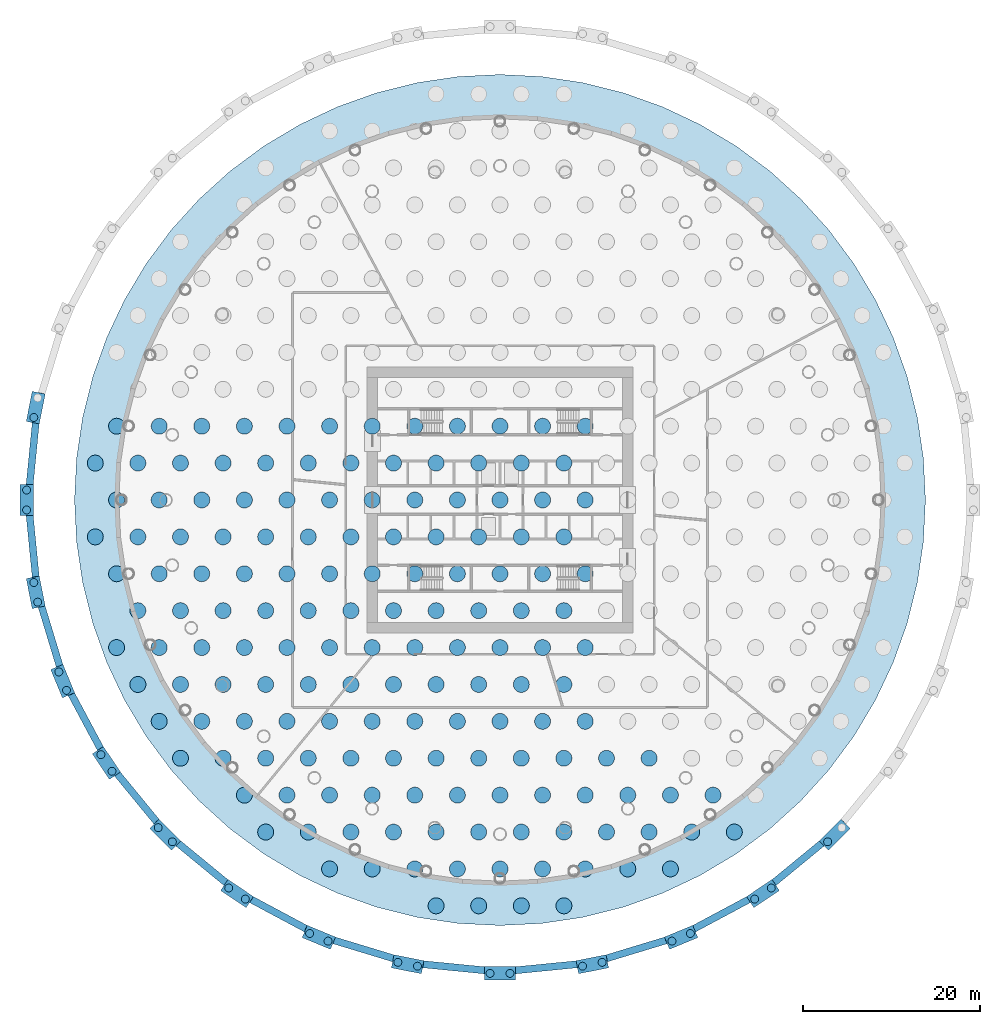
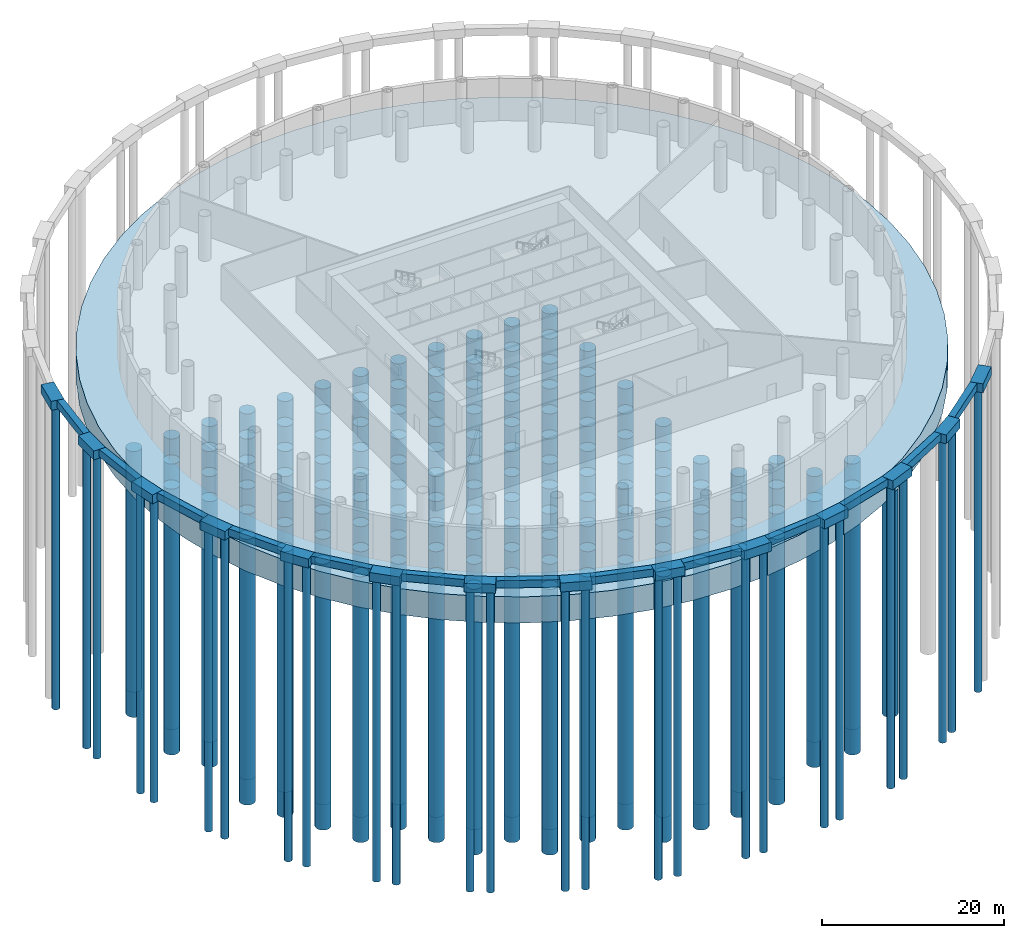
# One storey, part 1 of 12: 180 piles, 28 footings.
"""IFC4 building model written with IfcOpenShell, lengths in metres."""

from ifc_helpers import new_model, si_unit, direction, frame, origin, origin_2d, place, context, subcontext, project, spatial, polyline, rectangle, circle, outline, extrude, material, layer, layer_set, material_profile, profile_set, type_object, element, save


model = new_model("IFC4")

# Units and contexts
model_context = context("Model", 3, precision=1e-05, world=origin(), true_north=direction((0.0, 1.0)))
body_context = subcontext(model_context, "Body", "Model", "MODEL_VIEW")
ifc_project = project(units=[si_unit("LENGTHUNIT", "METRE"), si_unit("AREAUNIT", "SQUARE_METRE"), si_unit("VOLUMEUNIT", "CUBIC_METRE"), si_unit("PLANEANGLEUNIT", "RADIAN"), si_unit("MASSUNIT", "GRAM", prefix="KILO")], contexts=[model_context])

# Site, building, storey
site_placement = place(None, origin())
site = spatial("IfcSite", under=ifc_project, at=site_placement, CompositionType="ELEMENT")
building_placement = place(site_placement, origin())
building = spatial("IfcBuilding", under=site, at=building_placement, Name="Corvane Civic Tower", CompositionType="ELEMENT")
storey_placement = place(building_placement, frame((0.0, 0.0, -6.0)))
storey = spatial("IfcBuildingStorey", under=building, at=storey_placement, Name="B1", CompositionType="ELEMENT", Elevation=-6.0)

# Piles
ifc_material_1 = material(Name="Concrete C40/50", Category="concrete")
ifc_material_profile_1 = material_profile(ifc_material_1, circle(Radius=0.89990234375, at=origin_2d()), Name="BORED PILE 1800")
ifc_profile_set_1 = profile_set([ifc_material_profile_1], Name="Concrete C40/50")
pile_type_1 = type_object("IfcPileType", Name="BORED PILE BORED PILE 1800", PredefinedType="BORED", material=ifc_profile_set_1)
for number, where, z_axis, x_axis, name in (
    (1, (-7.208984375, -45.783203125, -3.64990234375), (0.0, 0.0, -1.0), (1.0, 0.0, 0.0), "PIL-B1-001"),
    (2, (-2.403076171875, -45.783203125, -3.64990234375), (0.0, 0.0, -1.0), (1.0, 0.0, 0.0), "PIL-B1-002"),
    (3, (2.403076171875, -45.783203125, -3.64990234375), (0.0, 0.0, -1.0), (1.0, 0.0, 0.0), "PIL-B1-003"),
    (4, (7.208984375, -45.783203125, -3.64990234375), (0.0, 0.0, -1.0), (1.0, 0.0, 0.0), "PIL-B1-004"),
    (5, (-19.22412109375, -41.62109375, -3.64990234375), (0.0, 0.0, -1.0), (1.0, 0.0, 0.0), "PIL-B1-005"),
    (6, (-14.41796875, -41.62109375, -3.64990234375), (0.0, 0.0, -1.0), (1.0, 0.0, 0.0), "PIL-B1-006"),
    (7, (-9.612060546875, -41.62109375, -3.64990234375), (0.0, 0.0, -1.0), (1.0, 0.0, 0.0), "PIL-B1-007"),
    (8, (-4.805908203125, -41.62109375, -3.64990234375), (0.0, 0.0, -1.0), (1.0, 0.0, 0.0), "PIL-B1-008"),
    (9, (0.0, -41.62109375, -3.64990234375), (0.0, 0.0, -1.0), (1.0, 0.0, 0.0), "PIL-B1-009"),
    (10, (4.805908203125, -41.62109375, -3.64990234375), (0.0, 0.0, -1.0), (1.0, 0.0, 0.0), "PIL-B1-010"),
    (11, (9.612060546875, -41.62109375, -3.64990234375), (0.0, 0.0, -1.0), (1.0, 0.0, 0.0), "PIL-B1-011"),
    (12, (14.41796875, -41.62109375, -3.64990234375), (0.0, 0.0, -1.0), (1.0, 0.0, 0.0), "PIL-B1-012"),
    (13, (19.22412109375, -41.62109375, -3.64990234375), (0.0, 0.0, -1.0), (1.0, 0.0, 0.0), "PIL-B1-013"),
    (14, (-26.43310546875, -37.458984375, -3.64990234375), (0.0, 0.0, -1.0), (1.0, 0.0, 0.0), "PIL-B1-014"),
    (15, (-21.626953125, -37.458984375, -3.64990234375), (0.0, 0.0, -1.0), (1.0, 0.0, 0.0), "PIL-B1-015"),
    (16, (-16.821044921875, -37.458984375, -3.64990234375), (0.0, 0.0, -1.0), (1.0, 0.0, 0.0), "PIL-B1-016"),
    (17, (-12.014892578125, -37.458984375, -3.64990234375), (0.0, 0.0, -1.0), (1.0, 0.0, 0.0), "PIL-B1-017"),
    (18, (-7.208984375, -37.458984375, -3.64990234375), (0.0, 0.0, -1.0), (1.0, 0.0, 0.0), "PIL-B1-018"),
    (19, (-2.403076171875, -37.458984375, -3.64990234375), (0.0, 0.0, -1.0), (1.0, 0.0, 0.0), "PIL-B1-019"),
    (20, (2.403076171875, -37.458984375, -3.64990234375), (0.0, 0.0, -1.0), (1.0, 0.0, 0.0), "PIL-B1-020"),
    (21, (7.208984375, -37.458984375, -3.64990234375), (0.0, 0.0, -1.0), (1.0, 0.0, 0.0), "PIL-B1-021"),
    (22, (12.014892578125, -37.458984375, -3.64990234375), (0.0, 0.0, -1.0), (1.0, 0.0, 0.0), "PIL-B1-022"),
    (23, (16.821044921875, -37.458984375, -3.64990234375), (0.0, 0.0, -1.0), (1.0, 0.0, 0.0), "PIL-B1-023"),
    (24, (21.626953125, -37.458984375, -3.64990234375), (0.0, 0.0, -1.0), (1.0, 0.0, 0.0), "PIL-B1-024"),
    (25, (26.43310546875, -37.458984375, -3.64990234375), (0.0, 0.0, -1.0), (1.0, 0.0, 0.0), "PIL-B1-025"),
    (26, (-28.8359375, -33.296875, -3.64990234375), (0.0, 0.0, -1.0), (1.0, 0.0, 0.0), "PIL-B1-026"),
    (27, (-24.030029296875, -33.296875, -3.64990234375), (0.0, 0.0, -1.0), (1.0, 0.0, 0.0), "PIL-B1-027"),
    (28, (-19.22412109375, -33.296875, -3.64990234375), (0.0, 0.0, -1.0), (1.0, 0.0, 0.0), "PIL-B1-028"),
    (29, (-14.41796875, -33.296875, -3.64990234375), (0.0, 0.0, -1.0), (1.0, 0.0, 0.0), "PIL-B1-029"),
    (30, (-9.612060546875, -33.296875, -3.64990234375), (0.0, 0.0, -1.0), (1.0, 0.0, 0.0), "PIL-B1-030"),
    (31, (-4.805908203125, -33.296875, -3.64990234375), (0.0, 0.0, -1.0), (1.0, 0.0, 0.0), "PIL-B1-031"),
    (32, (0.0, -33.296875, -3.64990234375), (0.0, 0.0, -1.0), (1.0, 0.0, 0.0), "PIL-B1-032"),
    (33, (4.805908203125, -33.296875, -3.64990234375), (0.0, 0.0, -1.0), (1.0, 0.0, 0.0), "PIL-B1-033"),
    (34, (9.612060546875, -33.296875, -3.64990234375), (0.0, 0.0, -1.0), (1.0, 0.0, 0.0), "PIL-B1-034"),
    (35, (14.41796875, -33.296875, -3.64990234375), (0.0, 0.0, -1.0), (1.0, 0.0, 0.0), "PIL-B1-035"),
    (36, (19.22412109375, -33.296875, -3.64990234375), (0.0, 0.0, -1.0), (1.0, 0.0, 0.0), "PIL-B1-036"),
    (37, (24.030029296875, -33.296875, -3.64990234375), (0.0, 0.0, -1.0), (1.0, 0.0, 0.0), "PIL-B1-037"),
    (38, (-36.044921875, -29.134765625, -3.64990234375), (0.0, 0.0, -1.0), (1.0, 0.0, 0.0), "PIL-B1-039"),
    (39, (-31.239013671875, -29.134765625, -3.64990234375), (0.0, 0.0, -1.0), (1.0, 0.0, 0.0), "PIL-B1-040"),
    (40, (-26.43310546875, -29.134765625, -3.64990234375), (0.0, 0.0, -1.0), (1.0, 0.0, 0.0), "PIL-B1-041"),
    (41, (-21.626953125, -29.134765625, -3.64990234375), (0.0, 0.0, -1.0), (1.0, 0.0, 0.0), "PIL-B1-042"),
    (42, (-16.821044921875, -29.134765625, -3.64990234375), (0.0, 0.0, -1.0), (1.0, 0.0, 0.0), "PIL-B1-043"),
    (43, (-12.014892578125, -29.134765625, -3.64990234375), (0.0, 0.0, -1.0), (1.0, 0.0, 0.0), "PIL-B1-044"),
    (44, (-7.208984375, -29.134765625, -3.64990234375), (0.0, 0.0, -1.0), (1.0, 0.0, 0.0), "PIL-B1-045"),
    (45, (-2.403076171875, -29.134765625, -3.64990234375), (0.0, 0.0, -1.0), (1.0, 0.0, 0.0), "PIL-B1-046"),
    (46, (2.403076171875, -29.134765625, -3.64990234375), (0.0, 0.0, -1.0), (1.0, 0.0, 0.0), "PIL-B1-047"),
    (47, (7.208984375, -29.134765625, -3.64990234375), (0.0, 0.0, -1.0), (1.0, 0.0, 0.0), "PIL-B1-048"),
    (48, (12.014892578125, -29.134765625, -3.64990234375), (0.0, 0.0, -1.0), (1.0, 0.0, 0.0), "PIL-B1-049"),
    (49, (16.821044921875, -29.134765625, -3.64990234375), (0.0, 0.0, -1.0), (1.0, 0.0, 0.0), "PIL-B1-050"),
    (50, (-38.447998046875, -24.97265625, -3.64990234375), (0.0, 0.0, -1.0), (1.0, 0.0, 0.0), "PIL-B1-055"),
    (51, (-33.64208984375, -24.97265625, -3.64990234375), (0.0, 0.0, -1.0), (1.0, 0.0, 0.0), "PIL-B1-056"),
    (52, (-28.8359375, -24.97265625, -3.64990234375), (0.0, 0.0, -1.0), (1.0, 0.0, 0.0), "PIL-B1-057"),
    (53, (-24.030029296875, -24.97265625, -3.64990234375), (0.0, 0.0, -1.0), (1.0, 0.0, 0.0), "PIL-B1-058"),
    (54, (-19.22412109375, -24.97265625, -3.64990234375), (0.0, 0.0, -1.0), (1.0, 0.0, 0.0), "PIL-B1-059"),
    (55, (-14.41796875, -24.97265625, -3.64990234375), (0.0, 0.0, -1.0), (1.0, 0.0, 0.0), "PIL-B1-060"),
    (56, (-9.612060546875, -24.97265625, -3.64990234375), (0.0, 0.0, -1.0), (1.0, 0.0, 0.0), "PIL-B1-061"),
    (57, (-4.805908203125, -24.97265625, -3.64990234375), (0.0, 0.0, -1.0), (1.0, 0.0, 0.0), "PIL-B1-062"),
    (58, (0.0, -24.97265625, -3.64990234375), (0.0, 0.0, -1.0), (1.0, 0.0, 0.0), "PIL-B1-063"),
    (59, (4.805908203125, -24.97265625, -3.64990234375), (0.0, 0.0, -1.0), (1.0, 0.0, 0.0), "PIL-B1-064"),
    (60, (9.612060546875, -24.97265625, -3.64990234375), (0.0, 0.0, -1.0), (1.0, 0.0, 0.0), "PIL-B1-065"),
    (61, (-40.85107421875, -20.810546875, -3.64990234375), (0.0, 0.0, -1.0), (1.0, 0.0, 0.0), "PIL-B1-072"),
    (62, (-36.044921875, -20.810546875, -3.64990234375), (0.0, 0.0, -1.0), (1.0, 0.0, 0.0), "PIL-B1-073"),
    (63, (-31.239013671875, -20.810546875, -3.64990234375), (0.0, 0.0, -1.0), (1.0, 0.0, 0.0), "PIL-B1-074"),
    (64, (-26.43310546875, -20.810546875, -3.64990234375), (0.0, 0.0, -1.0), (1.0, 0.0, 0.0), "PIL-B1-075"),
    (65, (-21.626953125, -20.810546875, -3.64990234375), (0.0, 0.0, -1.0), (1.0, 0.0, 0.0), "PIL-B1-076"),
    (66, (-16.821044921875, -20.810546875, -3.64990234375), (0.0, 0.0, -1.0), (1.0, 0.0, 0.0), "PIL-B1-077"),
    (67, (-12.014892578125, -20.810546875, -3.64990234375), (0.0, 0.0, -1.0), (1.0, 0.0, 0.0), "PIL-B1-078"),
    (68, (-7.208984375, -20.810546875, -3.64990234375), (0.0, 0.0, -1.0), (1.0, 0.0, 0.0), "PIL-B1-079"),
    (69, (-2.403076171875, -20.810546875, -3.64990234375), (0.0, 0.0, -1.0), (1.0, 0.0, 0.0), "PIL-B1-080"),
    (70, (2.403076171875, -20.810546875, -3.64990234375), (0.0, 0.0, -1.0), (1.0, 0.0, 0.0), "PIL-B1-081"),
    (71, (7.208984375, -20.810546875, -3.64990234375), (0.0, 0.0, -1.0), (1.0, 0.0, 0.0), "PIL-B1-082"),
    (72, (-43.25390625, -16.6484375, -3.64990234375), (0.0, 0.0, -1.0), (1.0, 0.0, 0.0), "PIL-B1-090"),
    (73, (-38.447998046875, -16.6484375, -3.64990234375), (0.0, 0.0, -1.0), (1.0, 0.0, 0.0), "PIL-B1-091"),
    (74, (-33.64208984375, -16.6484375, -3.64990234375), (0.0, 0.0, -1.0), (1.0, 0.0, 0.0), "PIL-B1-092"),
    (75, (-28.8359375, -16.6484375, -3.64990234375), (0.0, 0.0, -1.0), (1.0, 0.0, 0.0), "PIL-B1-093"),
    (76, (-24.030029296875, -16.6484375, -3.64990234375), (0.0, 0.0, -1.0), (1.0, 0.0, 0.0), "PIL-B1-094"),
    (77, (-19.22412109375, -16.6484375, -3.64990234375), (0.0, 0.0, -1.0), (1.0, 0.0, 0.0), "PIL-B1-095"),
    (78, (-14.41796875, -16.6484375, -3.64990234375), (0.0, 0.0, -1.0), (1.0, 0.0, 0.0), "PIL-B1-096"),
    (79, (-9.612060546875, -16.6484375, -3.64990234375), (0.0, 0.0, -1.0), (1.0, 0.0, 0.0), "PIL-B1-097"),
    (80, (-4.805908203125, -16.6484375, -3.64990234375), (0.0, 0.0, -1.0), (1.0, 0.0, 0.0), "PIL-B1-098"),
    (81, (0.0, -16.6484375, -3.64990234375), (0.0, 0.0, -1.0), (1.0, 0.0, 0.0), "PIL-B1-099"),
    (82, (4.805908203125, -16.6484375, -3.64990234375), (0.0, 0.0, -1.0), (1.0, 0.0, 0.0), "PIL-B1-100"),
    (83, (9.612060546875, -16.6484375, -3.64990234375), (0.0, 0.0, -1.0), (1.0, 0.0, 0.0), "PIL-B1-101"),
    (84, (-40.85107421875, -12.486328125, -3.64990234375), (0.0, 0.0, -1.0), (1.0, 0.0, 0.0), "PIL-B1-109"),
    (85, (-36.044921875, -12.486328125, -3.64990234375), (0.0, 0.0, -1.0), (1.0, 0.0, 0.0), "PIL-B1-110"),
    (86, (-31.239013671875, -12.486328125, -3.64990234375), (0.0, 0.0, -1.0), (1.0, 0.0, 0.0), "PIL-B1-111"),
    (87, (-26.43310546875, -12.486328125, -3.64990234375), (0.0, 0.0, -1.0), (1.0, 0.0, 0.0), "PIL-B1-112"),
    (88, (-21.626953125, -12.486328125, -3.64990234375), (0.0, 0.0, -1.0), (1.0, 0.0, 0.0), "PIL-B1-113"),
    (89, (-16.821044921875, -12.486328125, -3.64990234375), (0.0, 0.0, -1.0), (1.0, 0.0, 0.0), "PIL-B1-114"),
    (90, (-12.014892578125, -12.486328125, -3.64990234375), (0.0, 0.0, -1.0), (1.0, 0.0, 0.0), "PIL-B1-115"),
    (91, (-7.208984375, -12.486328125, -3.64990234375), (0.0, 0.0, -1.0), (1.0, 0.0, 0.0), "PIL-B1-116"),
    (92, (-2.403076171875, -12.486328125, -3.64990234375), (0.0, 0.0, -1.0), (1.0, 0.0, 0.0), "PIL-B1-117"),
    (93, (2.403076171875, -12.486328125, -3.64990234375), (0.0, 0.0, -1.0), (1.0, 0.0, 0.0), "PIL-B1-118"),
    (94, (7.208984375, -12.486328125, -3.64990234375), (0.0, 0.0, -1.0), (1.0, 0.0, 0.0), "PIL-B1-119"),
    (95, (-43.25390625, -8.32421875, -3.64990234375), (0.0, 0.0, -1.0), (1.0, 0.0, 0.0), "PIL-B1-127"),
    (96, (-38.447998046875, -8.32421875, -3.64990234375), (0.0, 0.0, -1.0), (1.0, 0.0, 0.0), "PIL-B1-128"),
    (97, (-33.64208984375, -8.32421875, -3.64990234375), (0.0, 0.0, -1.0), (1.0, 0.0, 0.0), "PIL-B1-129"),
    (98, (-28.8359375, -8.32421875, -3.64990234375), (0.0, 0.0, -1.0), (1.0, 0.0, 0.0), "PIL-B1-130"),
    (99, (-24.030029296875, -8.32421875, -3.64990234375), (0.0, 0.0, -1.0), (1.0, 0.0, 0.0), "PIL-B1-131"),
    (100, (-19.22412109375, -8.32421875, -3.64990234375), (0.0, 0.0, -1.0), (1.0, 0.0, 0.0), "PIL-B1-132"),
    (101, (-14.41796875, -8.32421875, -3.64990234375), (0.0, 0.0, -1.0), (1.0, 0.0, 0.0), "PIL-B1-133"),
    (102, (-9.612060546875, -8.32421875, -3.64990234375), (0.0, 0.0, -1.0), (1.0, 0.0, 0.0), "PIL-B1-134"),
    (103, (-4.805908203125, -8.32421875, -3.64990234375), (0.0, 0.0, -1.0), (1.0, 0.0, 0.0), "PIL-B1-135"),
    (104, (0.0, -8.32421875, -3.64990234375), (0.0, 0.0, -1.0), (1.0, 0.0, 0.0), "PIL-B1-136"),
    (105, (4.805908203125, -8.32421875, -3.64990234375), (0.0, 0.0, -1.0), (1.0, 0.0, 0.0), "PIL-B1-137"),
    (106, (9.612060546875, -8.32421875, -3.64990234375), (0.0, 0.0, -1.0), (1.0, 0.0, 0.0), "PIL-B1-138"),
    (107, (-45.656982421875, -4.162109375, -3.64990234375), (0.0, 0.0, -1.0), (1.0, 0.0, 0.0), "PIL-B1-146"),
    (108, (-40.85107421875, -4.162109375, -3.64990234375), (0.0, 0.0, -1.0), (1.0, 0.0, 0.0), "PIL-B1-147"),
    (109, (-36.044921875, -4.162109375, -3.64990234375), (0.0, 0.0, -1.0), (1.0, 0.0, 0.0), "PIL-B1-148"),
    (110, (-31.239013671875, -4.162109375, -3.64990234375), (0.0, 0.0, -1.0), (1.0, 0.0, 0.0), "PIL-B1-149"),
    (111, (-26.43310546875, -4.162109375, -3.64990234375), (0.0, 0.0, -1.0), (1.0, 0.0, 0.0), "PIL-B1-150"),
    (112, (-21.626953125, -4.162109375, -3.64990234375), (0.0, 0.0, -1.0), (1.0, 0.0, 0.0), "PIL-B1-151"),
    (113, (-16.821044921875, -4.162109375, -3.64990234375), (0.0, 0.0, -1.0), (1.0, 0.0, 0.0), "PIL-B1-152"),
    (114, (-12.014892578125, -4.162109375, -3.64990234375), (0.0, 0.0, -1.0), (1.0, 0.0, 0.0), "PIL-B1-153"),
    (115, (-7.208984375, -4.162109375, -3.64990234375), (0.0, 0.0, -1.0), (1.0, 0.0, 0.0), "PIL-B1-154"),
    (116, (-2.403076171875, -4.162109375, -3.64990234375), (0.0, 0.0, -1.0), (1.0, 0.0, 0.0), "PIL-B1-155"),
    (117, (2.403076171875, -4.162109375, -3.64990234375), (0.0, 0.0, -1.0), (1.0, 0.0, 0.0), "PIL-B1-156"),
    (118, (7.208984375, -4.162109375, -3.64990234375), (0.0, 0.0, -1.0), (1.0, 0.0, 0.0), "PIL-B1-157"),
    (119, (-43.25390625, 0.0, -3.64990234375), (0.0, 0.0, -1.0), (1.0, 0.0, 0.0), "PIL-B1-166"),
    (120, (-38.447998046875, 0.0, -3.64990234375), (0.0, 0.0, -1.0), (1.0, 0.0, 0.0), "PIL-B1-167"),
    (121, (-33.64208984375, 0.0, -3.64990234375), (0.0, 0.0, -1.0), (1.0, 0.0, 0.0), "PIL-B1-168"),
    (122, (-28.8359375, 0.0, -3.64990234375), (0.0, 0.0, -1.0), (1.0, 0.0, 0.0), "PIL-B1-169"),
    (123, (-24.030029296875, 0.0, -3.64990234375), (0.0, 0.0, -1.0), (1.0, 0.0, 0.0), "PIL-B1-170"),
    (124, (-19.22412109375, 0.0, -3.64990234375), (0.0, 0.0, -1.0), (1.0, 0.0, 0.0), "PIL-B1-171"),
    (125, (-14.41796875, 0.0, -3.64990234375), (0.0, 0.0, -1.0), (1.0, 0.0, 0.0), "PIL-B1-172"),
    (126, (-9.612060546875, 0.0, -3.64990234375), (0.0, 0.0, -1.0), (1.0, 0.0, 0.0), "PIL-B1-173"),
    (127, (-4.805908203125, 0.0, -3.64990234375), (0.0, 0.0, -1.0), (1.0, 0.0, 0.0), "PIL-B1-174"),
    (128, (0.0, 0.0, -3.64990234375), (0.0, 0.0, -1.0), (1.0, 0.0, 0.0), "PIL-B1-175"),
    (129, (4.805908203125, 0.0, -3.64990234375), (0.0, 0.0, -1.0), (1.0, 0.0, 0.0), "PIL-B1-176"),
    (130, (9.612060546875, 0.0, -3.64990234375), (0.0, 0.0, -1.0), (1.0, 0.0, 0.0), "PIL-B1-177"),
    (131, (-45.656982421875, 4.162109375, -3.64990234375), (0.0, 0.0, -1.0), (1.0, 0.0, 0.0), "PIL-B1-185"),
    (132, (-40.85107421875, 4.162109375, -3.64990234375), (0.0, 0.0, -1.0), (1.0, 0.0, 0.0), "PIL-B1-186"),
    (133, (-36.044921875, 4.162109375, -3.64990234375), (0.0, 0.0, -1.0), (1.0, 0.0, 0.0), "PIL-B1-187"),
    (134, (-31.239013671875, 4.162109375, -3.64990234375), (0.0, 0.0, -1.0), (1.0, 0.0, 0.0), "PIL-B1-188"),
    (135, (-26.43310546875, 4.162109375, -3.64990234375), (0.0, 0.0, -1.0), (1.0, 0.0, 0.0), "PIL-B1-189"),
    (136, (-21.626953125, 4.162109375, -3.64990234375), (0.0, 0.0, -1.0), (1.0, 0.0, 0.0), "PIL-B1-190"),
    (137, (-16.821044921875, 4.162109375, -3.64990234375), (0.0, 0.0, -1.0), (1.0, 0.0, 0.0), "PIL-B1-191"),
    (138, (-12.014892578125, 4.162109375, -3.64990234375), (0.0, 0.0, -1.0), (1.0, 0.0, 0.0), "PIL-B1-192"),
    (139, (-7.208984375, 4.162109375, -3.64990234375), (0.0, 0.0, -1.0), (1.0, 0.0, 0.0), "PIL-B1-193"),
    (140, (-2.403076171875, 4.162109375, -3.64990234375), (0.0, 0.0, -1.0), (1.0, 0.0, 0.0), "PIL-B1-194"),
    (141, (2.403076171875, 4.162109375, -3.64990234375), (0.0, 0.0, -1.0), (1.0, 0.0, 0.0), "PIL-B1-195"),
    (142, (7.208984375, 4.162109375, -3.64990234375), (0.0, 0.0, -1.0), (1.0, 0.0, 0.0), "PIL-B1-196"),
    (143, (-43.25390625, 8.32421875, -3.64990234375), (0.0, 0.0, -1.0), (1.0, 0.0, 0.0), "PIL-B1-205"),
    (144, (-38.447998046875, 8.32421875, -3.64990234375), (0.0, 0.0, -1.0), (1.0, 0.0, 0.0), "PIL-B1-206"),
    (145, (-33.64208984375, 8.32421875, -3.64990234375), (0.0, 0.0, -1.0), (1.0, 0.0, 0.0), "PIL-B1-207"),
    (146, (-28.8359375, 8.32421875, -3.64990234375), (0.0, 0.0, -1.0), (1.0, 0.0, 0.0), "PIL-B1-208"),
    (147, (-24.030029296875, 8.32421875, -3.64990234375), (0.0, 0.0, -1.0), (1.0, 0.0, 0.0), "PIL-B1-209"),
    (148, (-19.22412109375, 8.32421875, -3.64990234375), (0.0, 0.0, -1.0), (1.0, 0.0, 0.0), "PIL-B1-210"),
    (149, (-14.41796875, 8.32421875, -3.64990234375), (0.0, 0.0, -1.0), (1.0, 0.0, 0.0), "PIL-B1-211"),
    (150, (-9.612060546875, 8.32421875, -3.64990234375), (0.0, 0.0, -1.0), (1.0, 0.0, 0.0), "PIL-B1-212"),
    (151, (-4.805908203125, 8.32421875, -3.64990234375), (0.0, 0.0, -1.0), (1.0, 0.0, 0.0), "PIL-B1-213"),
    (152, (0.0, 8.32421875, -3.64990234375), (0.0, 0.0, -1.0), (1.0, 0.0, 0.0), "PIL-B1-214"),
    (153, (4.805908203125, 8.32421875, -3.64990234375), (0.0, 0.0, -1.0), (1.0, 0.0, 0.0), "PIL-B1-215"),
    (154, (9.612060546875, 8.32421875, -3.64990234375), (0.0, 0.0, -1.0), (1.0, 0.0, 0.0), "PIL-B1-216"),
):
    element("IfcPile", number, at=place(storey_placement, frame(where, z_axis=z_axis, x_axis=x_axis)), inside=storey, type_object=pile_type_1, Name=name, PredefinedType="BORED", context=body_context, shape_type="SweptSolid", body=[
        extrude(circle(Radius=0.89990234375, at=origin_2d()), origin(), (0.0, 0.0, 1.0), 32.35009765625),
    ])
ifc_material_2 = material(Name="Concrete C40/50", Category="concrete")
ifc_material_profile_2 = material_profile(ifc_material_2, circle(Radius=0.449951171875, at=origin_2d()), Name="BORED PILE 900")
ifc_profile_set_2 = profile_set([ifc_material_profile_2], Name="Concrete C40/50")
pile_type_2 = type_object("IfcPileType", Name="BORED PILE BORED PILE 900", PredefinedType="BORED", material=ifc_profile_set_2)
for number, where, z_axis, x_axis, name in (
    (155, (36.964111328125, -38.554931640625, 4.64990234375), (0.0, 0.0, -1.0), (1.0, 0.0, 0.0), "PIL-G-13-a"),
    (156, (28.732177734375, -45.025390625, 4.64990234375), (0.0, 0.0, -1.0), (1.0, 0.0, 0.0), "PIL-G-14-a"),
    (157, (30.602783203125, -43.775390625, 4.64990234375), (0.0, 0.0, -1.0), (1.0, 0.0, 0.0), "PIL-G-14-b"),
    (158, (19.39599609375, -49.765625, 4.64990234375), (0.0, 0.0, -1.0), (1.0, 0.0, 0.0), "PIL-G-15-a"),
    (159, (21.474609375, -48.90478515625, 4.64990234375), (0.0, 0.0, -1.0), (1.0, 0.0, 0.0), "PIL-G-15-b"),
    (160, (9.314208984375, -52.593505859375, 4.64990234375), (0.0, 0.0, -1.0), (1.0, 0.0, 0.0), "PIL-G-16-a"),
    (161, (11.52099609375, -52.154541015625, 4.64990234375), (0.0, 0.0, -1.0), (1.0, 0.0, 0.0), "PIL-G-16-b"),
    (162, (-1.125, -53.39990234375, 4.64990234375), (0.0, 0.0, -1.0), (1.0, 0.0, 0.0), "PIL-G-17-a"),
    (163, (1.125, -53.39990234375, 4.64990234375), (0.0, 0.0, -1.0), (1.0, 0.0, 0.0), "PIL-G-17-b"),
    (164, (-11.52099609375, -52.154541015625, 4.64990234375), (0.0, 0.0, -1.0), (1.0, 0.0, 0.0), "PIL-G-18-a"),
    (165, (-9.314208984375, -52.593505859375, 4.64990234375), (0.0, 0.0, -1.0), (1.0, 0.0, 0.0), "PIL-G-18-b"),
    (166, (-21.474609375, -48.90478515625, 4.64990234375), (0.0, 0.0, -1.0), (1.0, 0.0, 0.0), "PIL-G-19-a"),
    (167, (-19.39599609375, -49.765625, 4.64990234375), (0.0, 0.0, -1.0), (1.0, 0.0, 0.0), "PIL-G-19-b"),
    (168, (-30.602783203125, -43.775390625, 4.64990234375), (0.0, 0.0, -1.0), (1.0, 0.0, 0.0), "PIL-G-20-a"),
    (169, (-28.732177734375, -45.025390625, 4.64990234375), (0.0, 0.0, -1.0), (1.0, 0.0, 0.0), "PIL-G-20-b"),
    (170, (-38.554931640625, -36.964111328125, 4.64990234375), (0.0, 0.0, -1.0), (1.0, 0.0, 0.0), "PIL-G-21-a"),
    (171, (-36.964111328125, -38.554931640625, 4.64990234375), (0.0, 0.0, -1.0), (1.0, 0.0, 0.0), "PIL-G-21-b"),
    (172, (-45.025390625, -28.732177734375, 4.64990234375), (0.0, 0.0, -1.0), (1.0, 0.0, 0.0), "PIL-G-22-a"),
    (173, (-43.775390625, -30.602783203125, 4.64990234375), (0.0, 0.0, -1.0), (1.0, 0.0, 0.0), "PIL-G-22-b"),
    (174, (-49.765625, -19.39599609375, 4.64990234375), (0.0, 0.0, -1.0), (1.0, 0.0, 0.0), "PIL-G-23-a"),
    (175, (-48.90478515625, -21.474609375, 4.64990234375), (0.0, 0.0, -1.0), (1.0, 0.0, 0.0), "PIL-G-23-b"),
    (176, (-52.593505859375, -9.314208984375, 4.64990234375), (0.0, 0.0, -1.0), (1.0, 0.0, 0.0), "PIL-G-24-a"),
    (177, (-52.154541015625, -11.52099609375, 4.64990234375), (0.0, 0.0, -1.0), (1.0, 0.0, 0.0), "PIL-G-24-b"),
    (178, (-53.39990234375, 1.125, 4.64990234375), (0.0, 0.0, -1.0), (1.0, 0.0, 0.0), "PIL-G-25-a"),
    (179, (-53.39990234375, -1.125, 4.64990234375), (0.0, 0.0, -1.0), (1.0, 0.0, 0.0), "PIL-G-25-b"),
    (180, (-52.593505859375, 9.314208984375, 4.64990234375), (0.0, 0.0, -1.0), (1.0, 0.0, 0.0), "PIL-G-26-b"),
):
    element("IfcPile", number, at=place(storey_placement, frame(where, z_axis=z_axis, x_axis=x_axis)), inside=storey, type_object=pile_type_2, Name=name, PredefinedType="BORED", context=body_context, shape_type="SweptSolid", body=[
        extrude(circle(Radius=0.449951171875, at=origin_2d()), origin(), (0.0, 0.0, 1.0), 40.64990234375),
    ])

# Footings
ifc_material_3 = material(Name="Concrete C40/50", Category="concrete")
ifc_material_profile_3 = material_profile(ifc_material_3, rectangle(XDim=0.800048828125, YDim=1.0, at=origin_2d()), Name="GROUND BEAM 800X1000")
ifc_profile_set_3 = profile_set([ifc_material_profile_3], Name="Concrete C40/50")
footing_type_1 = type_object("IfcFootingType", Name="GROUND BEAM GROUND BEAM 800X1000", PredefinedType="FOOTING_BEAM", material=ifc_profile_set_3)
footing_1_placement = place(storey_placement, frame((38.979248046875, -36.539794921875, 5.199951171875), z_axis=(-0.773019045502, -0.634382814468, 0.0), x_axis=(0.634382814468, -0.773019045502, 0.0)))
element("IfcFooting", 181, at=footing_1_placement, inside=storey, type_object=footing_type_1, Name="FTG-G-gb-13", PredefinedType="FOOTING_BEAM", context=body_context, shape_type="SweptSolid", body=[
    extrude(rectangle(XDim=0.800048828125, YDim=1.0, at=origin_2d()), origin(), (0.0, 0.0, 1.0), 13.9013671875),
])
for number, where, z_axis, x_axis, name in (
    (182, (31.101806640625, -43.442138671875, 5.199951171875), (-0.881921850078, -0.471395641001, 0.0), (0.471395641001, -0.881921850078, 0.0), "FTG-G-gb-14"),
    (183, (22.029052734375, -48.675048828125, 5.199951171875), (-0.956942095793, -0.290278875048, 0.0), (0.290278875048, -0.956942095793, 0.0), "FTG-G-gb-15"),
):
    element("IfcFooting", number, at=place(storey_placement, frame(where, z_axis=z_axis, x_axis=x_axis)), inside=storey, type_object=footing_type_1, Name=name, PredefinedType="FOOTING_BEAM", context=body_context, shape_type="SweptSolid", body=[
        extrude(rectangle(XDim=0.800048828125, YDim=1.0, at=origin_2d()), origin(), (0.0, 0.0, 1.0), 13.90185546875),
    ])
for number, where, z_axis, x_axis, name in (
    (184, (12.109619140625, -52.03759765625, 5.199951171875), (-0.99518680332, -0.09799605348, 0.0), (0.09799605348, -0.99518680332, 0.0), "FTG-G-gb-16"),
    (185, (1.72509765625, -53.39990234375, 5.199951171875), (-0.99518680332, 0.09799605348, 0.0), (-0.09799605348, -0.99518680332, 0.0), "FTG-G-gb-17"),
):
    element("IfcFooting", number, at=place(storey_placement, frame(where, z_axis=z_axis, x_axis=x_axis)), inside=storey, type_object=footing_type_1, Name=name, PredefinedType="FOOTING_BEAM", context=body_context, shape_type="SweptSolid", body=[
        extrude(rectangle(XDim=0.800048828125, YDim=1.0, at=origin_2d()), origin(), (0.0, 0.0, 1.0), 13.901611328125),
    ])
for number, where, z_axis, x_axis, name in (
    (186, (-8.725830078125, -52.71044921875, 5.199951171875), (-0.956942095793, 0.290278875048, 0.0), (-0.290278875048, -0.956942095793, 0.0), "FTG-G-gb-18"),
    (187, (-18.841552734375, -49.995361328125, 5.199951171875), (-0.881921850078, 0.471395641001, 0.0), (-0.471395641001, -0.881921850078, 0.0), "FTG-G-gb-19"),
):
    element("IfcFooting", number, at=place(storey_placement, frame(where, z_axis=z_axis, x_axis=x_axis)), inside=storey, type_object=footing_type_1, Name=name, PredefinedType="FOOTING_BEAM", context=body_context, shape_type="SweptSolid", body=[
        extrude(rectangle(XDim=0.800048828125, YDim=1.0, at=origin_2d()), origin(), (0.0, 0.0, 1.0), 13.90185546875),
    ])
for number, where, z_axis, x_axis, name in (
    (188, (-28.233154296875, -45.358642578125, 5.199951171875), (-0.773019045502, 0.634382814468, 0.0), (-0.634382814468, -0.773019045502, 0.0), "FTG-G-gb-20"),
    (189, (-36.539794921875, -38.979248046875, 5.199951171875), (-0.634382814468, 0.773019045502, 0.0), (-0.773019045502, -0.634382814468, 0.0), "FTG-G-gb-21"),
):
    element("IfcFooting", number, at=place(storey_placement, frame(where, z_axis=z_axis, x_axis=x_axis)), inside=storey, type_object=footing_type_1, Name=name, PredefinedType="FOOTING_BEAM", context=body_context, shape_type="SweptSolid", body=[
        extrude(rectangle(XDim=0.800048828125, YDim=1.0, at=origin_2d()), origin(), (0.0, 0.0, 1.0), 13.9013671875),
    ])
for number, where, z_axis, x_axis, name in (
    (190, (-43.442138671875, -31.101806640625, 5.199951171875), (-0.471395641001, 0.881921850078, 0.0), (-0.881921850078, -0.471395641001, 0.0), "FTG-G-gb-22"),
    (191, (-48.675048828125, -22.029052734375, 5.199951171875), (-0.290278875048, 0.956942095793, 0.0), (-0.956942095793, -0.290278875048, 0.0), "FTG-G-gb-23"),
):
    element("IfcFooting", number, at=place(storey_placement, frame(where, z_axis=z_axis, x_axis=x_axis)), inside=storey, type_object=footing_type_1, Name=name, PredefinedType="FOOTING_BEAM", context=body_context, shape_type="SweptSolid", body=[
        extrude(rectangle(XDim=0.800048828125, YDim=1.0, at=origin_2d()), origin(), (0.0, 0.0, 1.0), 13.90185546875),
    ])
for number, where, z_axis, x_axis, name in (
    (192, (-52.03759765625, -12.109619140625, 5.199951171875), (-0.09799605348, 0.99518680332, 0.0), (-0.99518680332, -0.09799605348, 0.0), "FTG-G-gb-24"),
    (193, (-53.39990234375, -1.72509765625, 5.199951171875), (0.09799605348, 0.99518680332, 0.0), (-0.99518680332, 0.09799605348, 0.0), "FTG-G-gb-25"),
):
    element("IfcFooting", number, at=place(storey_placement, frame(where, z_axis=z_axis, x_axis=x_axis)), inside=storey, type_object=footing_type_1, Name=name, PredefinedType="FOOTING_BEAM", context=body_context, shape_type="SweptSolid", body=[
        extrude(rectangle(XDim=0.800048828125, YDim=1.0, at=origin_2d()), origin(), (0.0, 0.0, 1.0), 13.901611328125),
    ])
ifc_material_4 = material(Name="Concrete C50/60", Category="concrete")
ifc_layer_1 = layer(ifc_material_4, 1.199951171875)
ifc_layer_set_1 = layer_set([ifc_layer_1], Name="Concrete C50/60")
footing_type_2 = type_object("IfcFootingType", Name="PILE CAP 3450X1500", PredefinedType="PILE_CAP", material=ifc_layer_set_1)
for number, where, z_axis, x_axis, name in (
    (194, (37.759521484375, -37.759521484375, 4.5), (0.0, 0.0, 1.0), (0.707106781187, 0.707106781187, 0.0), "FTG-G-cap-13"),
    (195, (29.66748046875, -44.400390625, 4.5), (0.0, 0.0, 1.0), (0.831469612303, 0.55557023302, 0.0), "FTG-G-cap-14"),
    (196, (20.435302734375, -49.335205078125, 4.5), (0.0, 0.0, 1.0), (0.923879532511, 0.382683432365, 0.0), "FTG-G-cap-15"),
    (197, (10.417724609375, -52.3740234375, 4.5), (0.0, 0.0, 1.0), (0.980785280403, 0.195090322016, 0.0), "FTG-G-cap-16"),
    (198, (0.0, -53.39990234375, 4.5), (0.0, 0.0, 1.0), (1.0, 0.0, 0.0), "FTG-G-cap-17"),
    (199, (-10.417724609375, -52.3740234375, 4.5), (0.0, 0.0, 1.0), (0.980785280403, -0.195090322016, 0.0), "FTG-G-cap-18"),
    (200, (-20.435302734375, -49.335205078125, 4.5), (0.0, 0.0, 1.0), (0.923879532511, -0.382683432365, 0.0), "FTG-G-cap-19"),
    (201, (-29.66748046875, -44.400390625, 4.5), (0.0, 0.0, 1.0), (0.831469612303, -0.55557023302, 0.0), "FTG-G-cap-20"),
    (202, (-37.759521484375, -37.759521484375, 4.5), (0.0, 0.0, 1.0), (0.707106781187, -0.707106781187, 0.0), "FTG-G-cap-21"),
    (203, (-44.400390625, -29.66748046875, 4.5), (0.0, 0.0, 1.0), (0.55557023302, -0.831469612303, 0.0), "FTG-G-cap-22"),
    (204, (-49.335205078125, -20.435302734375, 4.5), (0.0, 0.0, 1.0), (0.382683432365, -0.923879532511, 0.0), "FTG-G-cap-23"),
    (205, (-52.3740234375, -10.417724609375, 4.5), (0.0, 0.0, 1.0), (0.195090322016, -0.980785280403, 0.0), "FTG-G-cap-24"),
    (206, (-53.39990234375, 0.0, 4.5), (0.0, 0.0, 1.0), (0.0, -1.0, 0.0), "FTG-G-cap-25"),
    (207, (-52.3740234375, 10.417724609375, 4.5), (0.0, 0.0, 1.0), (-0.195090322016, -0.980785280403, 0.0), "FTG-G-cap-26"),
):
    element("IfcFooting", number, at=place(storey_placement, frame(where, z_axis=z_axis, x_axis=x_axis)), inside=storey, type_object=footing_type_2, Name=name, PredefinedType="PILE_CAP", context=body_context, shape_type="SweptSolid", body=[
        extrude(rectangle(XDim=3.449951171875, YDim=1.5, at=origin_2d()), origin(), (0.0, 0.0, 1.0), 1.199951171875),
    ])
ifc_material_5 = material(Name="Concrete C50/60", Category="concrete")
ifc_layer_2 = layer(ifc_material_5, 3.5)
ifc_layer_set_2 = layer_set([ifc_layer_2], Name="Concrete C50/60")
footing_type_3 = type_object("IfcFootingType", Name="RAFT 3500", PredefinedType="USERDEFINED", material=ifc_layer_set_2)
footing_2_placement = place(storey_placement, frame((0.0, 0.0, -3.800048828125)))
element("IfcFooting", 208, at=footing_2_placement, inside=storey, type_object=footing_type_3, Name="FTG-B1-raft", ObjectType="Raft foundation", PredefinedType="USERDEFINED", context=body_context, shape_type="SweptSolid", body=[
    extrude(outline(polyline([(0.0, 48.0), (-4.704833984375, 47.768798828125), (-9.3642578125, 47.07763671875), (-13.93359375, 45.93310546875), (-18.368896484375, 44.34619140625), (-22.626953125, 42.332275390625), (-26.66748046875, 39.91064453125), (-30.450927734375, 37.1044921875), (-33.941162109375, 33.941162109375), (-37.1044921875, 30.450927734375), (-39.91064453125, 26.66748046875), (-42.332275390625, 22.626953125), (-44.34619140625, 18.368896484375), (-45.93310546875, 13.93359375), (-47.07763671875, 9.3642578125), (-47.768798828125, 4.704833984375), (-48.0, 0.0), (-47.768798828125, -4.704833984375), (-47.07763671875, -9.3642578125), (-45.93310546875, -13.93359375), (-44.34619140625, -18.368896484375), (-42.332275390625, -22.626953125), (-39.91064453125, -26.66748046875), (-37.1044921875, -30.450927734375), (-33.941162109375, -33.941162109375), (-30.450927734375, -37.1044921875), (-26.66748046875, -39.91064453125), (-22.626953125, -42.332275390625), (-18.368896484375, -44.34619140625), (-13.93359375, -45.93310546875), (-9.3642578125, -47.07763671875), (-4.704833984375, -47.768798828125), (0.0, -48.0), (4.704833984375, -47.768798828125), (9.3642578125, -47.07763671875), (13.93359375, -45.93310546875), (18.368896484375, -44.34619140625), (22.626953125, -42.332275390625), (26.66748046875, -39.91064453125), (30.450927734375, -37.1044921875), (33.941162109375, -33.941162109375), (37.1044921875, -30.450927734375), (39.91064453125, -26.66748046875), (42.332275390625, -22.626953125), (44.34619140625, -18.368896484375), (45.93310546875, -13.93359375), (47.07763671875, -9.3642578125), (47.768798828125, -4.704833984375), (48.0, 0.0), (47.768798828125, 4.704833984375), (47.07763671875, 9.3642578125), (45.93310546875, 13.93359375), (44.34619140625, 18.368896484375), (42.332275390625, 22.626953125), (39.91064453125, 26.66748046875), (37.1044921875, 30.450927734375), (33.941162109375, 33.941162109375), (30.450927734375, 37.1044921875), (26.66748046875, 39.91064453125), (22.626953125, 42.332275390625), (18.368896484375, 44.34619140625), (13.93359375, 45.93310546875), (9.3642578125, 47.07763671875), (4.704833984375, 47.768798828125), (0.0, 48.0)])), origin(), (0.0, 0.0, 1.0), 3.5),
])

save(model, "model.ifc")
